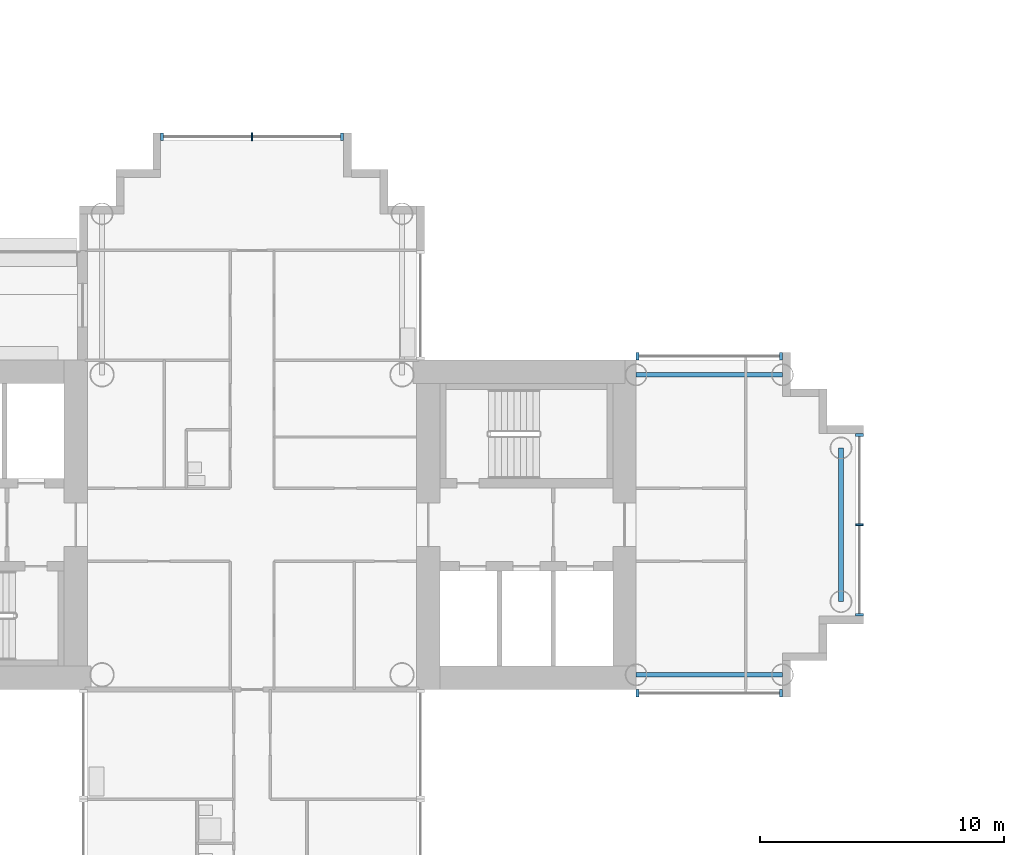
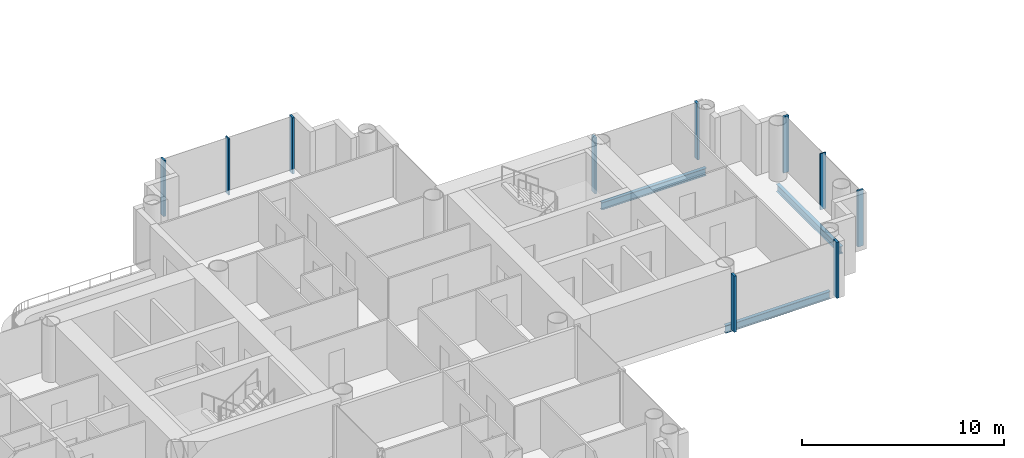
# One storey, part 4 of 22: 10 members, 3 beams, 4 elements without a shape of their own.
"""IFC4 building model written with IfcOpenShell, lengths in metres."""

from ifc_helpers import new_model, si_unit, direction, frame, origin, origin_2d, place, context, subcontext, project, spatial, rectangle, i_section, extrude, material, layer, layer_set, material_profile, profile_set, type_object, element, aggregate, save


model = new_model("IFC4")

# Units and contexts
model_context = context("Model", 3, precision=1e-05, world=origin(), true_north=direction((0.0, 1.0)))
body_context = subcontext(model_context, "Body", "Model", "MODEL_VIEW")
ifc_project = project(units=[si_unit("LENGTHUNIT", "METRE"), si_unit("AREAUNIT", "SQUARE_METRE"), si_unit("VOLUMEUNIT", "CUBIC_METRE"), si_unit("PLANEANGLEUNIT", "RADIAN"), si_unit("MASSUNIT", "GRAM", prefix="KILO")], contexts=[model_context])

# Site, building, storey
site_placement = place(None, origin())
site = spatial("IfcSite", under=ifc_project, at=site_placement, CompositionType="ELEMENT")
building_placement = place(site_placement, origin())
building = spatial("IfcBuilding", under=site, at=building_placement, Name="Ipe Terrace Towers", CompositionType="ELEMENT")
storey_placement = place(building_placement, frame((0.0, 0.0, 90.199951171875)))
storey = spatial("IfcBuildingStorey", under=building, at=storey_placement, Name="L24", CompositionType="ELEMENT", Elevation=90.199951171875)

# Beams
ifc_material_1 = material(Name="Steel S355", Category="steel")
ifc_material_profile_1 = material_profile(ifc_material_1, i_section(OverallWidth=0.199951171875, OverallDepth=0.449951171875, WebThickness=0.009033203125, FlangeThickness=0.013916015625, at=origin_2d()), Name="H-450x200x9x14")
ifc_profile_set_1 = profile_set([ifc_material_profile_1], Name="Steel S355")
beam_type = type_object("IfcBeamType", Name="H08 EDGE BEAM H-450x200x9x14", PredefinedType="BEAM", material=ifc_profile_set_1)
for number, where, z_axis, x_axis, name in (
    (1, (-20.25, -6.14990234375, -0.625), (1.0, 0.0, 0.0), (0.0, 1.0, 0.0), "Edge beam T1-EB-A01-A03"),
    (2, (-20.25, 6.14990234375, -0.625), (1.0, 0.0, 0.0), (0.0, 1.0, 0.0), "Edge beam T1-EB-A02-A04"),
):
    element("IfcBeam", number, at=place(storey_placement, frame(where, z_axis=z_axis, x_axis=x_axis)), inside=storey, type_object=beam_type, Name=name, PredefinedType="BEAM", context=body_context, shape_type="SweptSolid", body=[
        extrude(i_section(OverallWidth=0.199951171875, OverallDepth=0.449951171875, WebThickness=0.009033203125, FlangeThickness=0.013916015625, at=origin_2d()), origin(), (0.0, 0.0, 1.0), 6.0),
    ])
beam_placement = place(storey_placement, frame((-11.85009765625, -3.14990234375, -0.625), z_axis=(0.0, 1.0, 0.0), x_axis=(-1.0, 0.0, 0.0)))
element("IfcBeam", 3, at=beam_placement, inside=storey, type_object=beam_type, Name="Edge beam T1-EB-A05-A06", PredefinedType="BEAM", context=body_context, shape_type="SweptSolid", body=[
    extrude(i_section(OverallWidth=0.199951171875, OverallDepth=0.449951171875, WebThickness=0.009033203125, FlangeThickness=0.013916015625, at=origin_2d()), origin(), (0.0, 0.0, 1.0), 6.2998046875),
])

# Curtain wall, members
ifc_material_2 = material(Name="Aluminium alloy 6063-T6", Category="aluminium")
ifc_layer = layer(ifc_material_2, 0.320068359375)
ifc_layer_set = layer_set([ifc_layer], Name="TOWER UNITISED CURTAIN WALL")
curtain_wall_type = type_object("IfcCurtainWallType", Name="TOWER UNITISED CURTAIN WALL", PredefinedType="NOTDEFINED", material=ifc_layer_set)
curtain_wall_1_placement = place(storey_placement, origin())
curtain_wall_1 = element("IfcCurtainWall", 4, at=curtain_wall_1_placement, inside=storey, type_object=curtain_wall_type, Name="T1-CW-L24-20b curtain wall", PredefinedType="NOTDEFINED")
ifc_material_3 = material(Name="Aluminium alloy 6063-T6", Category="aluminium")
ifc_material_profile_2 = material_profile(ifc_material_3, rectangle(XDim=0.320068359375, YDim=0.1201171875, at=origin_2d()), Name="TOWER UNITISED CORNER MULLION 320 x 120")
ifc_profile_set_2 = profile_set([ifc_material_profile_2], Name="Aluminium alloy 6063-T6")
member_type_1 = type_object("IfcMemberType", Name="TOWER UNITISED CORNER MULLION 320 x 120", PredefinedType="MULLION", material=ifc_profile_set_2)
member_1_placement = place(storey_placement, frame((-20.18896484375, -6.909912109375, -0.300048828125), z_axis=(0.0, 0.0, 1.0), x_axis=(0.0, -1.0, 0.0)))
member_1 = element("IfcMember", 5, at=member_1_placement, type_object=member_type_1, Name="T1-CW-L24-20b mullion 1", PredefinedType="MULLION", context=body_context, shape_type="SweptSolid", body=[
    extrude(rectangle(XDim=0.320068359375, YDim=0.1201171875, at=origin_2d()), origin(), (0.0, 0.0, 1.0), 3.400146484375),
])
member_2_placement = place(storey_placement, frame((-14.31005859375, -6.909912109375, -0.300048828125), z_axis=(0.0, 0.0, 1.0), x_axis=(0.0, -1.0, 0.0)))
member_2 = element("IfcMember", 6, at=member_2_placement, type_object=member_type_1, Name="T1-CW-L24-20b mullion 2", PredefinedType="MULLION", context=body_context, shape_type="SweptSolid", body=[
    extrude(rectangle(XDim=0.320068359375, YDim=0.1201171875, at=origin_2d()), origin(), (0.0, 0.0, 1.0), 3.400146484375),
])
aggregate(curtain_wall_1, [member_1, member_2])

curtain_wall_2_placement = place(storey_placement, origin())
curtain_wall_2 = element("IfcCurtainWall", 7, at=curtain_wall_2_placement, inside=storey, type_object=curtain_wall_type, Name="T1-CW-L24-25a curtain wall", PredefinedType="NOTDEFINED")
member_3_placement = place(storey_placement, frame((-11.090087890625, -3.68994140625, -0.300048828125), z_axis=(0.0, 0.0, 1.0), x_axis=(1.0, 0.0, 0.0)))
member_3 = element("IfcMember", 8, at=member_3_placement, type_object=member_type_1, Name="T1-CW-L24-25a mullion 1", PredefinedType="MULLION", context=body_context, shape_type="SweptSolid", body=[
    extrude(rectangle(XDim=0.320068359375, YDim=0.1201171875, at=origin_2d()), origin(), (0.0, 0.0, 1.0), 3.400146484375),
])
member_4_placement = place(storey_placement, frame((-11.090087890625, 3.68994140625, -0.300048828125), z_axis=(0.0, 0.0, 1.0), x_axis=(1.0, 0.0, 0.0)))
member_4 = element("IfcMember", 9, at=member_4_placement, type_object=member_type_1, Name="T1-CW-L24-25a mullion 3", PredefinedType="MULLION", context=body_context, shape_type="SweptSolid", body=[
    extrude(rectangle(XDim=0.320068359375, YDim=0.1201171875, at=origin_2d()), origin(), (0.0, 0.0, 1.0), 3.400146484375),
])

curtain_wall_3_placement = place(storey_placement, origin())
curtain_wall_3 = element("IfcCurtainWall", 10, at=curtain_wall_3_placement, inside=storey, type_object=curtain_wall_type, Name="T1-CW-L24-30a curtain wall", PredefinedType="NOTDEFINED")
member_5_placement = place(storey_placement, frame((-14.31005859375, 6.909912109375, -0.300048828125), z_axis=(0.0, 0.0, 1.0), x_axis=(0.0, 1.0, 0.0)))
member_5 = element("IfcMember", 11, at=member_5_placement, type_object=member_type_1, Name="T1-CW-L24-30a mullion 1", PredefinedType="MULLION", context=body_context, shape_type="SweptSolid", body=[
    extrude(rectangle(XDim=0.320068359375, YDim=0.1201171875, at=origin_2d()), origin(), (0.0, 0.0, 1.0), 3.400146484375),
])
member_6_placement = place(storey_placement, frame((-20.18896484375, 6.909912109375, -0.300048828125), z_axis=(0.0, 0.0, 1.0), x_axis=(0.0, 1.0, 0.0)))
member_6 = element("IfcMember", 12, at=member_6_placement, type_object=member_type_1, Name="T1-CW-L24-30a mullion 2", PredefinedType="MULLION", context=body_context, shape_type="SweptSolid", body=[
    extrude(rectangle(XDim=0.320068359375, YDim=0.1201171875, at=origin_2d()), origin(), (0.0, 0.0, 1.0), 3.400146484375),
])
aggregate(curtain_wall_3, [member_5, member_6])

curtain_wall_4_placement = place(storey_placement, origin())
curtain_wall_4 = element("IfcCurtainWall", 13, at=curtain_wall_4_placement, inside=storey, type_object=curtain_wall_type, Name="T1-CW-L24-38a curtain wall", PredefinedType="NOTDEFINED")
member_7_placement = place(storey_placement, frame((-32.31005859375, 15.909912109375, -0.300048828125), z_axis=(0.0, 0.0, 1.0), x_axis=(0.0, 1.0, 0.0)))
member_7 = element("IfcMember", 14, at=member_7_placement, type_object=member_type_1, Name="T1-CW-L24-38a mullion 1", PredefinedType="MULLION", context=body_context, shape_type="SweptSolid", body=[
    extrude(rectangle(XDim=0.320068359375, YDim=0.1201171875, at=origin_2d()), origin(), (0.0, 0.0, 1.0), 3.400146484375),
])
member_8_placement = place(storey_placement, frame((-39.68994140625, 15.909912109375, -0.300048828125), z_axis=(0.0, 0.0, 1.0), x_axis=(0.0, 1.0, 0.0)))
member_8 = element("IfcMember", 15, at=member_8_placement, type_object=member_type_1, Name="T1-CW-L24-38a mullion 3", PredefinedType="MULLION", context=body_context, shape_type="SweptSolid", body=[
    extrude(rectangle(XDim=0.320068359375, YDim=0.1201171875, at=origin_2d()), origin(), (0.0, 0.0, 1.0), 3.400146484375),
])

# Member
ifc_material_4 = material(Name="Aluminium alloy 6063-T6", Category="aluminium")
ifc_material_profile_3 = material_profile(ifc_material_4, rectangle(XDim=0.320068359375, YDim=0.06494140625, at=origin_2d()), Name="TOWER UNITISED MULLION 320 x 65")
ifc_profile_set_3 = profile_set([ifc_material_profile_3], Name="Aluminium alloy 6063-T6")
member_type_2 = type_object("IfcMemberType", Name="TOWER UNITISED MULLION 320 x 65", PredefinedType="MULLION", material=ifc_profile_set_3)
member_9_placement = place(storey_placement, frame((-11.090087890625, 0.0, -0.300048828125), z_axis=(0.0, 0.0, 1.0), x_axis=(1.0, 0.0, 0.0)))
member_9 = element("IfcMember", 16, at=member_9_placement, type_object=member_type_2, Name="T1-CW-L24-25a mullion 2", PredefinedType="MULLION", context=body_context, shape_type="SweptSolid", body=[
    extrude(rectangle(XDim=0.320068359375, YDim=0.06494140625, at=origin_2d()), origin(), (0.0, 0.0, 1.0), 3.400146484375),
])

aggregate(curtain_wall_2, [member_3, member_9, member_4])

member_10_placement = place(storey_placement, frame((-36.0, 15.909912109375, -0.300048828125), z_axis=(0.0, 0.0, 1.0), x_axis=(0.0, 1.0, 0.0)))
member_10 = element("IfcMember", 17, at=member_10_placement, type_object=member_type_2, Name="T1-CW-L24-38a mullion 2", PredefinedType="MULLION", context=body_context, shape_type="SweptSolid", body=[
    extrude(rectangle(XDim=0.320068359375, YDim=0.06494140625, at=origin_2d()), origin(), (0.0, 0.0, 1.0), 3.400146484375),
])

aggregate(curtain_wall_4, [member_7, member_10, member_8])

save(model, "model.ifc")
